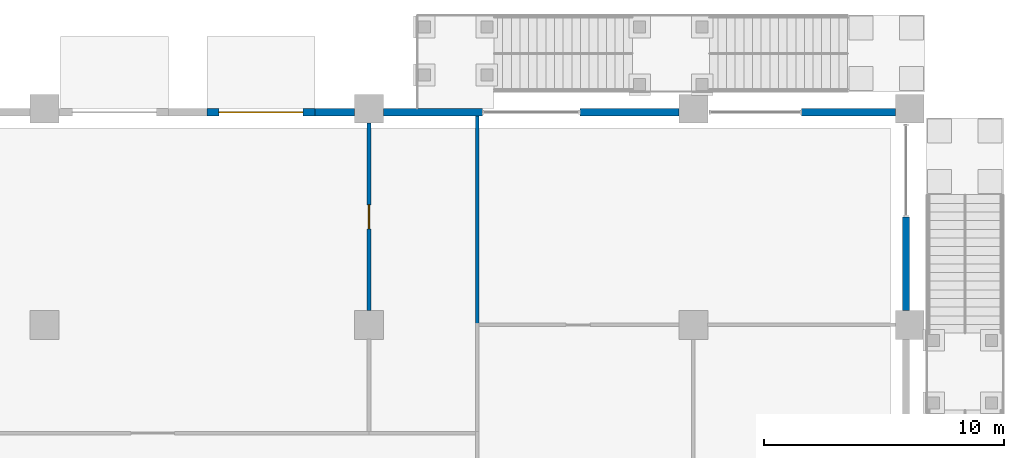
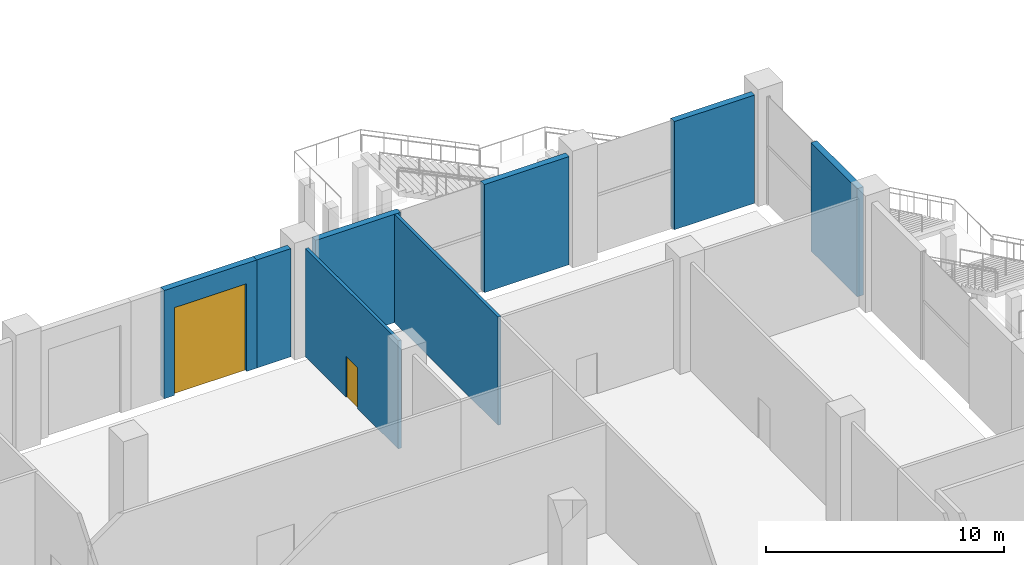
# One storey, part 36 of 68: 8 walls, 2 doors, 2 openings.
"""IFC4 building model written with IfcOpenShell, lengths in metres."""

from ifc_helpers import new_model, si_unit, direction, frame, frame_2d, origin, place, context, subcontext, project, spatial, rectangle, extrude, material, layer, layer_set, type_object, element, fill, save


model = new_model("IFC4")

# Units and contexts
model_context = context("Model", 3, precision=1e-05, world=origin(), true_north=direction((0.0, 1.0)))
body_context = subcontext(model_context, "Body", "Model", "MODEL_VIEW")
ifc_project = project(units=[si_unit("LENGTHUNIT", "METRE"), si_unit("AREAUNIT", "SQUARE_METRE"), si_unit("VOLUMEUNIT", "CUBIC_METRE"), si_unit("PLANEANGLEUNIT", "RADIAN"), si_unit("MASSUNIT", "GRAM", prefix="KILO")], contexts=[model_context])

# Site, building, storey
site_placement = place(None, origin())
site = spatial("IfcSite", under=ifc_project, at=site_placement, CompositionType="ELEMENT")
building_placement = place(site_placement, origin())
building = spatial("IfcBuilding", under=site, at=building_placement, Name="Altepetl Exchange Towers", CompositionType="ELEMENT")
storey_placement = place(building_placement, origin())
storey = spatial("IfcBuildingStorey", under=building, at=storey_placement, Name="L00 Ground concourse", CompositionType="ELEMENT", Elevation=0.0)

# Wall, opening, door
ifc_material_1 = material(Name="Gypsum board on steel studs", Category="steel")
ifc_layer_1 = layer(ifc_material_1, 0.14990234375)
ifc_layer_set_1 = layer_set([ifc_layer_1], Name="Gypsum board on steel studs")
wall_type_1 = type_object("IfcWallType", Name="Podium partition 150", PredefinedType="PARTITIONING", material=ifc_layer_set_1)
wall_1_placement = place(storey_placement, frame((130.5, 90.594970703125, 0.0), z_axis=(0.0, 0.0, 1.0), x_axis=(0.0, 1.0, 0.0)))
wall_1 = element("IfcWall", 1, at=wall_1_placement, inside=storey, type_object=wall_type_1, Name="wall:P:L00:P280", PredefinedType="PARTITIONING", context=body_context, shape_type="SweptSolid", body=[
    extrude(rectangle(XDim=7.81005859375, YDim=0.14990234375, at=frame_2d((3.905029296875, 0.0))), origin(), (0.0, 0.0, 1.0), 5.550048828125),
])
opening_1_placement = place(wall_1_placement, frame((3.39990234375, 0.0, 0.0)))
opening_1 = element("IfcOpeningElement", 2, at=opening_1_placement, cuts=wall_1, Name="Opening L00.P051", PredefinedType="OPENING", context=body_context, shape_type="SweptSolid", body=[
    extrude(rectangle(XDim=1.0, YDim=2.10009765625, at=frame_2d((0.5, 1.050048828125))), frame((0.0, 0.0849609375, 0.0), z_axis=(0.0, -1.0, 0.0), x_axis=(1.0, 0.0, 0.0)), (0.0, 0.0, 1.0), 0.169921875),
])
ifc_material_2 = material(Name="Steel and timber fire door", Category="steel")
door_type_1 = type_object("IfcDoorType", Name="Podium fire door 1000 x 2100 single leaf", OperationType="SINGLE_SWING_LEFT", PredefinedType="DOOR", material=ifc_material_2)
door_1_placement = place(opening_1_placement, frame((1.0, 0.0, 0.0), x_axis=(-1.0, 0.0, 0.0)))
door_1 = element("IfcDoor", 3, at=door_1_placement, inside=storey, type_object=door_type_1, Name="door:P:L00:051", OperationType="SINGLE_SWING_LEFT", OverallHeight=2.10009765625, OverallWidth=1.0, PredefinedType="DOOR", context=body_context, shape_type="SweptSolid", body=[
    extrude(rectangle(XDim=1.0, YDim=2.10009765625, at=frame_2d((0.5, 1.050048828125))), frame((0.0, 0.02490234375, 0.0), z_axis=(0.0, -1.0, 0.0), x_axis=(1.0, 0.0, 0.0)), (0.0, 0.0, 1.0), 0.050048828125),
])
fill(opening_1, door_1)

# Walls
wall_2_placement = place(storey_placement, frame((135.0, 90.0, 0.0), z_axis=(0.0, 0.0, 1.0), x_axis=(0.0, 1.0, 0.0)))
element("IfcWall", 4, at=wall_2_placement, inside=storey, type_object=wall_type_1, Name="wall:P:L00:P281", PredefinedType="PARTITIONING", context=body_context, shape_type="SweptSolid", body=[
    extrude(rectangle(XDim=8.699951171875, YDim=0.14990234375, at=frame_2d((4.35009765625, 0.0))), origin(), (0.0, 0.0, 1.0), 5.550048828125),
])
ifc_material_3 = material(Name="Cantera limestone cladding", Category="masonry")
ifc_layer_2 = layer(ifc_material_3, 0.300048828125)
ifc_layer_set_2 = layer_set([ifc_layer_2], Name="Cantera limestone cladding")
wall_type_2 = type_object("IfcWallType", Name="Stone wall panel 300", PredefinedType="ELEMENTEDWALL", material=ifc_layer_set_2)
for number, where, z_axis, x_axis, name in (
    (5, (152.85009765625, 90.60009765625, 0.0), (0.0, 0.0, 1.0), (0.0, 1.0, 0.0), "Stone wall panel"),
    (6, (152.39990234375, 98.85009765625, 0.0), (0.0, 0.0, 1.0), (-1.0, 0.0, 0.0), "Stone wall panel"),
):
    element("IfcWall", number, at=place(storey_placement, frame(where, z_axis=z_axis, x_axis=x_axis)), inside=storey, type_object=wall_type_2, Name=name, PredefinedType="ELEMENTEDWALL", context=body_context, shape_type="SweptSolid", body=[
        extrude(rectangle(XDim=3.89990234375, YDim=0.300048828125, at=frame_2d((1.949951171875, 0.0))), origin(), (0.0, 0.0, 1.0), 5.550048828125),
    ])
for number, where, z_axis, x_axis, name in (
    (7, (143.39990234375, 98.85009765625, 0.0), (0.0, 0.0, 1.0), (-1.0, 0.0, 0.0), "Stone wall panel"),
    (8, (135.216552734375, 98.85009765625, 0.0), (0.0, 0.0, 1.0), (-1.0, 0.0, 0.0), "Stone wall panel"),
):
    element("IfcWall", number, at=place(storey_placement, frame(where, z_axis=z_axis, x_axis=x_axis)), inside=storey, type_object=wall_type_2, Name=name, PredefinedType="ELEMENTEDWALL", context=body_context, shape_type="SweptSolid", body=[
        extrude(rectangle(XDim=4.116455078125, YDim=0.300048828125, at=frame_2d((2.05810546875, 0.0))), origin(), (0.0, 0.0, 1.0), 5.550048828125),
    ])
wall_3_placement = place(storey_placement, frame((129.89990234375, 98.85009765625, 0.0), z_axis=(0.0, 0.0, 1.0), x_axis=(-1.0, 0.0, 0.0)))
element("IfcWall", 9, at=wall_3_placement, inside=storey, type_object=wall_type_2, Name="Stone wall panel", PredefinedType="ELEMENTEDWALL", context=body_context, shape_type="SweptSolid", body=[
    extrude(rectangle(XDim=1.64990234375, YDim=0.300048828125, at=frame_2d((0.824951171875, 0.0))), origin(), (0.0, 0.0, 1.0), 5.550048828125),
])

# Wall, opening, door
wall_4_placement = place(storey_placement, frame((128.25, 98.85009765625, 0.0), z_axis=(0.0, 0.0, 1.0), x_axis=(-1.0, 0.0, 0.0)))
wall_4 = element("IfcWall", 10, at=wall_4_placement, inside=storey, type_object=wall_type_2, Name="Stone wall panel", PredefinedType="ELEMENTEDWALL", context=body_context, shape_type="SweptSolid", body=[
    extrude(rectangle(XDim=4.5, YDim=0.300048828125, at=frame_2d((2.25, 0.0))), origin(), (0.0, 0.0, 1.0), 5.550048828125),
])
opening_2_placement = place(wall_4_placement, frame((0.5, 0.0, 0.0)))
opening_2 = element("IfcOpeningElement", 11, at=opening_2_placement, cuts=wall_4, Name="Opening L00.E56", PredefinedType="OPENING", context=body_context, shape_type="SweptSolid", body=[
    extrude(rectangle(XDim=3.5, YDim=4.5, at=frame_2d((1.75, 2.25))), frame((0.0, 0.16015625, 0.0), z_axis=(0.0, -1.0, 0.0), x_axis=(1.0, 0.0, 0.0)), (0.0, 0.0, 1.0), 0.320068359375),
])
ifc_material_4 = material(Name="Galvanised steel", Category="steel")
door_type_2 = type_object("IfcDoorType", Name="Roller shutter door 3500x4500", OperationType="ROLLINGUP", PredefinedType="NOTDEFINED", material=ifc_material_4)
door_2_placement = place(opening_2_placement, origin())
door_2 = element("IfcDoor", 12, at=door_2_placement, inside=storey, type_object=door_type_2, Name="Loading door", OperationType="ROLLINGUP", OverallHeight=4.5, OverallWidth=3.5, PredefinedType="NOTDEFINED", context=body_context, shape_type="SweptSolid", body=[
    extrude(rectangle(XDim=3.5, YDim=4.5, at=frame_2d((1.75, 2.25))), frame((0.0, 0.02490234375, 0.0), z_axis=(0.0, -1.0, 0.0), x_axis=(1.0, 0.0, 0.0)), (0.0, 0.0, 1.0), 0.050048828125),
])
fill(opening_2, door_2)

save(model, "model.ifc")
